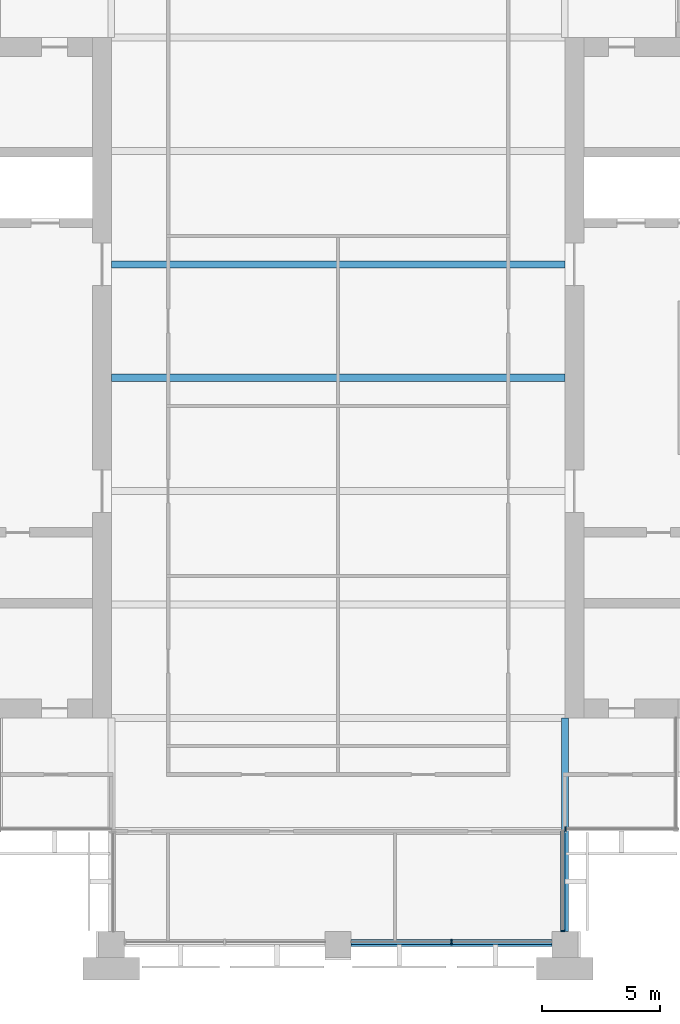
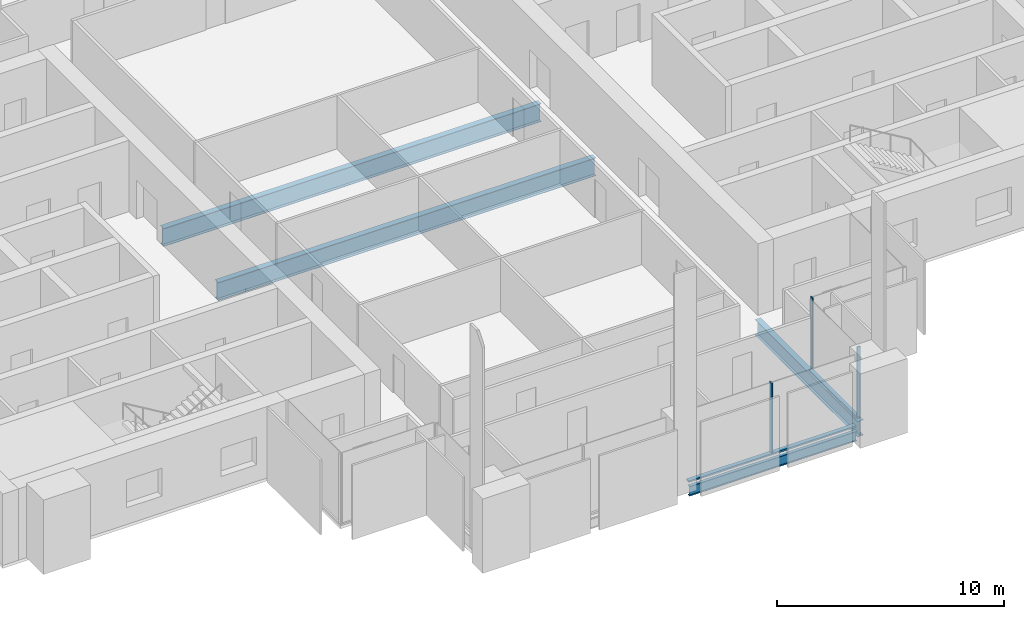
# One storey, part 3 of 13: 5 members, 4 beams, 3 elements without a shape of their own.
"""IFC4 building model written with IfcOpenShell, lengths in metres."""

from ifc_helpers import new_model, si_unit, direction, frame, origin, origin_2d, place, context, subcontext, project, spatial, rectangle, i_section, extrude, material, material_profile, profile_set, type_object, element, aggregate, save


model = new_model("IFC4")

# Units and contexts
model_context = context("Model", 3, precision=1e-05, world=origin(), true_north=direction((0.0, 1.0)))
body_context = subcontext(model_context, "Body", "Model", "MODEL_VIEW")
ifc_project = project(units=[si_unit("LENGTHUNIT", "METRE"), si_unit("AREAUNIT", "SQUARE_METRE"), si_unit("VOLUMEUNIT", "CUBIC_METRE"), si_unit("PLANEANGLEUNIT", "RADIAN"), si_unit("MASSUNIT", "GRAM", prefix="KILO")], contexts=[model_context])

# Site, building, storey
site_placement = place(None, origin())
site = spatial("IfcSite", under=ifc_project, at=site_placement, CompositionType="ELEMENT")
building_placement = place(site_placement, origin())
building = spatial("IfcBuilding", under=site, at=building_placement, Name="Baori Bourse Tower", CompositionType="ELEMENT")
storey_placement = place(building_placement, frame((0.0, 0.0, 237.199951171875)))
storey = spatial("IfcBuildingStorey", under=building, at=storey_placement, Name="L52", CompositionType="ELEMENT", Elevation=237.199951171875)

# Curtain wall, member
ifc_material_1 = material(Name="Pale anodised aluminium", Category="aluminium")
curtain_wall_type_1 = type_object("IfcCurtainWallType", Name="CW2 Curtain wall", PredefinedType="NOTDEFINED", material=ifc_material_1)
curtain_wall_1_placement = place(storey_placement, origin())
curtain_wall_1 = element("IfcCurtainWall", 1, at=curtain_wall_1_placement, inside=storey, type_object=curtain_wall_type_1, Name="Curtain wall CW2 L52 12", PredefinedType="NOTDEFINED")
ifc_material_2 = material(Name="Pale anodised aluminium", Category="aluminium")
ifc_material_profile_1 = material_profile(ifc_material_2, rectangle(XDim=0.179931640625, YDim=0.054931640625, at=origin_2d()), Name="Mullion 55x180")
ifc_profile_set_1 = profile_set([ifc_material_profile_1], Name="Pale anodised aluminium")
member_type_1 = type_object("IfcMemberType", Name="CW2 Curtain wall mullion", PredefinedType="MULLION", material=ifc_profile_set_1)
member_1_placement = place(storey_placement, frame((38.31005859375, 0.577392578125, 0.070068359375), z_axis=(0.0, 0.0, 1.0), x_axis=(-1.0, 0.0, 0.0)))
member_1 = element("IfcMember", 2, at=member_1_placement, type_object=member_type_1, Name="Curtain wall CW2 mullion", PredefinedType="MULLION", context=body_context, shape_type="SweptSolid", body=[
    extrude(rectangle(XDim=0.179931640625, YDim=0.054931640625, at=origin_2d()), origin(), (0.0, 0.0, 1.0), 3.77001953125),
])

curtain_wall_2_placement = place(storey_placement, origin())
curtain_wall_2 = element("IfcCurtainWall", 3, at=curtain_wall_2_placement, inside=storey, type_object=curtain_wall_type_1, Name="Curtain wall CW2 L52 13", PredefinedType="NOTDEFINED")
member_2_placement = place(storey_placement, frame((38.427490234375, 4.889892578125, 0.070068359375), z_axis=(0.0, 0.0, 1.0), x_axis=(0.0, 1.0, 0.0)))
member_2 = element("IfcMember", 4, at=member_2_placement, type_object=member_type_1, Name="Curtain wall CW2 mullion", PredefinedType="MULLION", context=body_context, shape_type="SweptSolid", body=[
    extrude(rectangle(XDim=0.179931640625, YDim=0.054931640625, at=origin_2d()), origin(), (0.0, 0.0, 1.0), 3.77001953125),
])
aggregate(curtain_wall_2, [member_2])

# Member
ifc_material_3 = material(Name="Pale anodised aluminium", Category="aluminium")
ifc_material_profile_2 = material_profile(ifc_material_3, rectangle(XDim=0.179931640625, YDim=0.070068359375, at=origin_2d()), Name="Transom 70x180")
ifc_profile_set_2 = profile_set([ifc_material_profile_2], Name="Pale anodised aluminium")
member_type_2 = type_object("IfcMemberType", Name="CW2 Curtain wall transom", PredefinedType="USERDEFINED", material=ifc_profile_set_2)
member_3_placement = place(storey_placement, frame((38.31005859375, 0.550048828125, 0.03515625), z_axis=(0.0, 1.0, 0.0), x_axis=(-1.0, 0.0, 0.0)))
member_3 = element("IfcMember", 5, at=member_3_placement, type_object=member_type_2, Name="Curtain wall CW2 sill rail", ObjectType="TRANSOM", PredefinedType="USERDEFINED", context=body_context, shape_type="SweptSolid", body=[
    extrude(rectangle(XDim=0.179931640625, YDim=0.070068359375, at=origin_2d()), origin(), (0.0, 0.0, 1.0), 4.25),
])

aggregate(curtain_wall_1, [member_3, member_1])

# Curtain wall, members
ifc_material_4 = material(Name="Pale anodised aluminium", Category="aluminium")
curtain_wall_type_2 = type_object("IfcCurtainWallType", Name="CW5 Curtain wall", PredefinedType="NOTDEFINED", material=ifc_material_4)
curtain_wall_3_placement = place(storey_placement, origin())
curtain_wall_3 = element("IfcCurtainWall", 6, at=curtain_wall_3_placement, inside=storey, type_object=curtain_wall_type_2, Name="Curtain wall CW5 L52 11", PredefinedType="NOTDEFINED")
ifc_material_5 = material(Name="Pale anodised aluminium", Category="aluminium")
ifc_material_profile_3 = material_profile(ifc_material_5, rectangle(XDim=0.219970703125, YDim=0.06494140625, at=origin_2d()), Name="Mullion 65x220")
ifc_profile_set_3 = profile_set([ifc_material_profile_3], Name="Pale anodised aluminium")
member_type_3 = type_object("IfcMemberType", Name="CW5 Curtain wall mullion", PredefinedType="MULLION", material=ifc_profile_set_3)
member_4_placement = place(storey_placement, frame((33.60009765625, 0.110107421875, 0.0849609375), z_axis=(0.0, 0.0, 1.0), x_axis=(0.0, 1.0, 0.0)))
member_4 = element("IfcMember", 7, at=member_4_placement, type_object=member_type_3, Name="Curtain wall CW5 mullion", PredefinedType="MULLION", context=body_context, shape_type="SweptSolid", body=[
    extrude(rectangle(XDim=0.219970703125, YDim=0.06494140625, at=origin_2d()), origin(), (0.0, 0.0, 1.0), 3.755126953125),
])
ifc_material_6 = material(Name="Pale anodised aluminium", Category="aluminium")
ifc_material_profile_4 = material_profile(ifc_material_6, rectangle(XDim=0.219970703125, YDim=0.0849609375, at=origin_2d()), Name="Transom 85x220")
ifc_profile_set_4 = profile_set([ifc_material_profile_4], Name="Pale anodised aluminium")
member_type_4 = type_object("IfcMemberType", Name="CW5 Curtain wall transom", PredefinedType="USERDEFINED", material=ifc_profile_set_4)
member_5_placement = place(storey_placement, frame((29.35009765625, 0.110107421875, 0.04248046875), z_axis=(1.0, 0.0, 0.0), x_axis=(0.0, 1.0, 0.0)))
member_5 = element("IfcMember", 8, at=member_5_placement, type_object=member_type_4, Name="Curtain wall CW5 sill rail", ObjectType="TRANSOM", PredefinedType="USERDEFINED", context=body_context, shape_type="SweptSolid", body=[
    extrude(rectangle(XDim=0.219970703125, YDim=0.0849609375, at=origin_2d()), origin(), (0.0, 0.0, 1.0), 8.5),
])
aggregate(curtain_wall_3, [member_5, member_4])

# Beams
ifc_material_7 = material(Name="Steel A992 Gr 50", Category="steel")
ifc_material_profile_5 = material_profile(ifc_material_7, i_section(OverallWidth=0.1650390625, OverallDepth=0.52587890625, WebThickness=0.0087890625, FlangeThickness=0.011474609375, at=origin_2d()), Name="W21x44")
ifc_profile_set_5 = profile_set([ifc_material_profile_5], Name="Steel A992 Gr 50")
beam_type_1 = type_object("IfcBeamType", Name="Edge beam W21x44", PredefinedType="BEAM", material=ifc_profile_set_5)
beam_1_placement = place(storey_placement, frame((29.35009765625, 0.0, -0.4228515625), z_axis=(1.0, 0.0, 0.0), x_axis=(0.0, 1.0, 0.0)))
element("IfcBeam", 9, at=beam_1_placement, inside=storey, type_object=beam_type_1, Name="Edge beam L52", PredefinedType="BEAM", context=body_context, shape_type="SweptSolid", body=[
    extrude(i_section(OverallWidth=0.1650390625, OverallDepth=0.52587890625, WebThickness=0.0087890625, FlangeThickness=0.011474609375, at=origin_2d()), origin(), (0.0, 0.0, 1.0), 8.5),
])
ifc_material_8 = material(Name="Steel A992 Gr 50", Category="steel")
ifc_material_profile_6 = material_profile(ifc_material_8, i_section(OverallWidth=0.2998046875, OverallDepth=0.97021484375, WebThickness=0.01611328125, FlangeThickness=0.02099609375, at=origin_2d()), Name="W40x149")
ifc_profile_set_6 = profile_set([ifc_material_profile_6], Name="Steel A992 Gr 50")
beam_type_2 = type_object("IfcBeamType", Name="Floor beam W40x149", PredefinedType="BEAM", material=ifc_profile_set_6)
for number, where, z_axis, x_axis, name in (
    (10, (19.199951171875, 24.0, -0.64501953125), (1.0, 0.0, 0.0), (0.0, 1.0, 0.0), "Floor beam L52"),
    (11, (19.199951171875, 28.800048828125, -0.64501953125), (1.0, 0.0, 0.0), (0.0, 1.0, 0.0), "Floor beam L52"),
):
    element("IfcBeam", number, at=place(storey_placement, frame(where, z_axis=z_axis, x_axis=x_axis)), inside=storey, type_object=beam_type_2, Name=name, PredefinedType="BEAM", context=body_context, shape_type="SweptSolid", body=[
        extrude(i_section(OverallWidth=0.2998046875, OverallDepth=0.97021484375, WebThickness=0.01611328125, FlangeThickness=0.02099609375, at=origin_2d()), origin(), (0.0, 0.0, 1.0), 19.199951171875),
    ])
ifc_material_9 = material(Name="Steel A992 Gr 50", Category="steel")
ifc_material_profile_7 = material_profile(ifc_material_9, i_section(OverallWidth=0.2919921875, OverallDepth=0.835693359375, WebThickness=0.013916015625, FlangeThickness=0.018798828125, at=origin_2d()), Name="W33x118")
ifc_profile_set_7 = profile_set([ifc_material_profile_7], Name="Steel A992 Gr 50")
beam_type_3 = type_object("IfcBeamType", Name="Girder W33x118", PredefinedType="BEAM", material=ifc_profile_set_7)
beam_2_placement = place(storey_placement, frame((38.39990234375, 0.550048828125, -0.577880859375), z_axis=(0.0, 1.0, 0.0), x_axis=(-1.0, 0.0, 0.0)))
element("IfcBeam", 12, at=beam_2_placement, inside=storey, type_object=beam_type_3, Name="Girder L52", PredefinedType="BEAM", context=body_context, shape_type="SweptSolid", body=[
    extrude(i_section(OverallWidth=0.2919921875, OverallDepth=0.835693359375, WebThickness=0.013916015625, FlangeThickness=0.018798828125, at=origin_2d()), origin(), (0.0, 0.0, 1.0), 9.050048828125),
])

save(model, "model.ifc")
